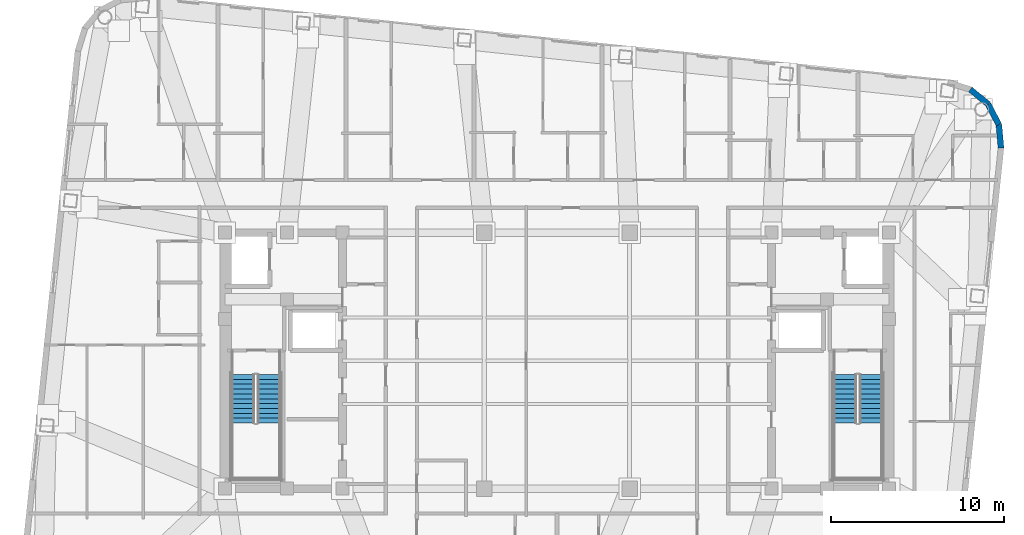
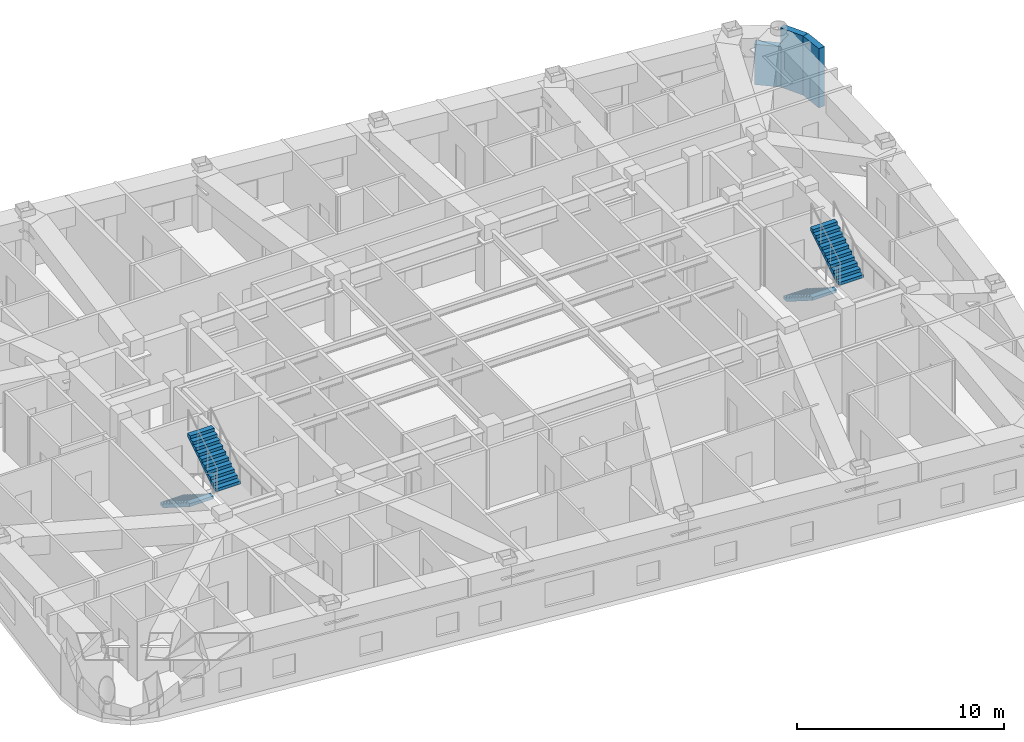
# One storey, part 10 of 12: 4 stair flights, 3 walls, 2 elements without a shape of their own.
"""IFC4 building model written with IfcOpenShell, lengths in metres."""

from ifc_helpers import new_model, si_unit, direction, frame, frame_2d, origin, place, context, subcontext, project, spatial, polyline, rectangle, outline, extrude, material, layer, layer_set, type_object, element, aggregate, save


model = new_model("IFC4")

# Units and contexts
model_context = context("Model", 3, precision=1e-05, world=origin(), true_north=direction((0.0, 1.0)))
body_context = subcontext(model_context, "Body", "Model", "MODEL_VIEW")
ifc_project = project(units=[si_unit("LENGTHUNIT", "METRE"), si_unit("AREAUNIT", "SQUARE_METRE"), si_unit("VOLUMEUNIT", "CUBIC_METRE"), si_unit("PLANEANGLEUNIT", "RADIAN"), si_unit("MASSUNIT", "GRAM", prefix="KILO")], contexts=[model_context])

# Site, building, storey
site_placement = place(None, origin())
site = spatial("IfcSite", under=ifc_project, at=site_placement, CompositionType="ELEMENT")
building_placement = place(site_placement, origin())
building = spatial("IfcBuilding", under=site, at=building_placement, Name="Voryun Gate Residences", CompositionType="ELEMENT")
storey_placement = place(building_placement, frame((0.0, 0.0, 306.800048828125)))
storey = spatial("IfcBuildingStorey", under=building, at=storey_placement, Name="L76", CompositionType="ELEMENT", Elevation=306.800048828125)

# Walls
ifc_material_1 = material(Name="Charcoal terracotta masonry", Category="masonry")
ifc_layer = layer(ifc_material_1, 0.340087890625, Name="W_EXT_TERRACOTTA_340")
ifc_layer_set = layer_set([ifc_layer], Name="Charcoal terracotta masonry")
wall_type = type_object("IfcWallType", Name="W_EXT_TERRACOTTA_340", PredefinedType="ELEMENTEDWALL", material=ifc_layer_set)
wall_1_placement = place(storey_placement, frame((23.895751953125, 15.68212890625, 0.0), z_axis=(0.0, 0.0, 1.0), x_axis=(0.768789762863, -0.639501603217, 0.0)))
element("IfcWall", 1, at=wall_1_placement, inside=storey, type_object=wall_type, Name="Exterior wall WEXT-L76-13", PredefinedType="ELEMENTEDWALL", context=body_context, shape_type="SweptSolid", body=[
    extrude(rectangle(XDim=1.3369140625, YDim=0.340087890625, at=frame_2d((0.66845703125, 0.0))), origin(), (0.0, 0.0, 1.0), 2.389892578125),
])
wall_2_placement = place(storey_placement, frame((24.923583984375, 14.8271484375, 0.0), z_axis=(0.0, 0.0, 1.0), x_axis=(0.46567116636, -0.884957832228, 0.0)))
element("IfcWall", 2, at=wall_2_placement, inside=storey, type_object=wall_type, Name="Exterior wall WEXT-L76-14", PredefinedType="ELEMENTEDWALL", context=body_context, shape_type="SweptSolid", body=[
    extrude(rectangle(XDim=1.3369140625, YDim=0.340087890625, at=frame_2d((0.66845703125, 0.0))), origin(), (0.0, 0.0, 1.0), 3.5),
])
wall_3_placement = place(storey_placement, frame((25.546142578125, 13.64404296875, 0.0), z_axis=(0.0, 0.0, 1.0), x_axis=(0.091592370975, -0.995796584438, 0.0)))
element("IfcWall", 3, at=wall_3_placement, inside=storey, type_object=wall_type, Name="Exterior wall WEXT-L76-15", PredefinedType="ELEMENTEDWALL", context=body_context, shape_type="SweptSolid", body=[
    extrude(rectangle(XDim=1.35400390625, YDim=0.340087890625, at=frame_2d((0.677001953125, 0.0))), origin(), (0.0, 0.0, 1.0), 3.5),
])

# Stair, stair flights
ifc_material_2 = material(Name="Concrete C40/50", Category="concrete")
stair_type = type_object("IfcStairType", Name="STR_CORE_DOGLEG_1350", PredefinedType="HALF_TURN_STAIR", material=ifc_material_2)
stair_1_placement = place(storey_placement, origin())
stair_1 = element("IfcStair", 4, at=stair_1_placement, inside=storey, type_object=stair_type, Name="L76 Special Escape Stair ST-W1", PredefinedType="HALF_TURN_STAIR")
ifc_material_3 = material(Name="Concrete C40/50", Category="concrete")
stair_flight_type = type_object("IfcStairFlightType", Name="FLT_CORE_1350", PredefinedType="STRAIGHT", material=ifc_material_3)
stair_flight_1_placement = place(storey_placement, frame((-18.14990234375, -0.800048828125, 0.0), z_axis=(0.0, 0.0, 1.0), x_axis=(0.0, -1.0, 0.0)))
stair_flight_1 = element("IfcStairFlight", 5, at=stair_flight_1_placement, type_object=stair_flight_type, Name="ST-W1 flight 1", NumberOfRisers=11, NumberOfTreads=10, PredefinedType="STRAIGHT", RiserHeight=0.177272727, TreadLength=0.28, context=body_context, shape_type="SweptSolid", body=[
    extrude(outline(polyline([(0.0, 0.0), (0.0, 0.17724609375), (0.280029296875, 0.17724609375), (0.280029296875, 0.3544921875), (0.56005859375, 0.3544921875), (0.56005859375, 0.53173828125), (0.840087890625, 0.53173828125), (0.840087890625, 0.708984375), (1.1201171875, 0.708984375), (1.1201171875, 0.886474609375), (1.39990234375, 0.886474609375), (1.39990234375, 1.063720703125), (1.679931640625, 1.063720703125), (1.679931640625, 1.240966796875), (1.9599609375, 1.240966796875), (1.9599609375, 1.418212890625), (2.239990234375, 1.418212890625), (2.239990234375, 1.595458984375), (2.52001953125, 1.595458984375), (2.52001953125, 1.772705078125), (2.800048828125, 1.772705078125), (2.800048828125, 1.949951171875), (2.800048828125, 1.59521484375), (0.2802734375, 0.0), (0.0, 0.0)])), frame((0.0, 0.675048828125, 0.0), z_axis=(0.0, -1.0, 0.0), x_axis=(1.0, 0.0, 0.0)), (0.0, 0.0, 1.0), 1.35009765625),
])
stair_flight_2_placement = place(storey_placement, frame((-16.64990234375, -3.60009765625, 1.949951171875), z_axis=(0.0, 0.0, 1.0), x_axis=(0.0, 1.0, 0.0)))
stair_flight_2 = element("IfcStairFlight", 6, at=stair_flight_2_placement, type_object=stair_flight_type, Name="ST-W1 flight 2", NumberOfRisers=11, NumberOfTreads=10, PredefinedType="STRAIGHT", RiserHeight=0.177272727, TreadLength=0.28, context=body_context, shape_type="SweptSolid", body=[
    extrude(outline(polyline([(0.0, 0.0), (0.0, 0.17724609375), (0.280029296875, 0.17724609375), (0.280029296875, 0.3544921875), (0.56005859375, 0.3544921875), (0.56005859375, 0.53173828125), (0.840087890625, 0.53173828125), (0.840087890625, 0.708984375), (1.1201171875, 0.708984375), (1.1201171875, 0.886474609375), (1.39990234375, 0.886474609375), (1.39990234375, 1.063720703125), (1.679931640625, 1.063720703125), (1.679931640625, 1.240966796875), (1.9599609375, 1.240966796875), (1.9599609375, 1.418212890625), (2.239990234375, 1.418212890625), (2.239990234375, 1.595458984375), (2.52001953125, 1.595458984375), (2.52001953125, 1.772705078125), (2.800048828125, 1.772705078125), (2.800048828125, 1.949951171875), (2.800048828125, 1.59521484375), (0.2802734375, 0.0), (0.0, 0.0)])), frame((0.0, 0.675048828125, 0.0), z_axis=(0.0, -1.0, 0.0), x_axis=(1.0, 0.0, 0.0)), (0.0, 0.0, 1.0), 1.35009765625),
])
aggregate(stair_1, [stair_flight_1, stair_flight_2])

stair_2_placement = place(storey_placement, origin())
stair_2 = element("IfcStair", 7, at=stair_2_placement, inside=storey, type_object=stair_type, Name="L76 Special Escape Stair ST-E1", PredefinedType="HALF_TURN_STAIR")
stair_flight_3_placement = place(storey_placement, frame((16.64990234375, -0.800048828125, 0.0), z_axis=(0.0, 0.0, 1.0), x_axis=(0.0, -1.0, 0.0)))
stair_flight_3 = element("IfcStairFlight", 8, at=stair_flight_3_placement, type_object=stair_flight_type, Name="ST-E1 flight 1", NumberOfRisers=11, NumberOfTreads=10, PredefinedType="STRAIGHT", RiserHeight=0.177272727, TreadLength=0.28, context=body_context, shape_type="SweptSolid", body=[
    extrude(outline(polyline([(0.0, 0.0), (0.0, 0.17724609375), (0.280029296875, 0.17724609375), (0.280029296875, 0.3544921875), (0.56005859375, 0.3544921875), (0.56005859375, 0.53173828125), (0.840087890625, 0.53173828125), (0.840087890625, 0.708984375), (1.1201171875, 0.708984375), (1.1201171875, 0.886474609375), (1.39990234375, 0.886474609375), (1.39990234375, 1.063720703125), (1.679931640625, 1.063720703125), (1.679931640625, 1.240966796875), (1.9599609375, 1.240966796875), (1.9599609375, 1.418212890625), (2.239990234375, 1.418212890625), (2.239990234375, 1.595458984375), (2.52001953125, 1.595458984375), (2.52001953125, 1.772705078125), (2.800048828125, 1.772705078125), (2.800048828125, 1.949951171875), (2.800048828125, 1.59521484375), (0.2802734375, 0.0), (0.0, 0.0)])), frame((0.0, 0.675048828125, 0.0), z_axis=(0.0, -1.0, 0.0), x_axis=(1.0, 0.0, 0.0)), (0.0, 0.0, 1.0), 1.35009765625),
])
stair_flight_4_placement = place(storey_placement, frame((18.14990234375, -3.60009765625, 1.949951171875), z_axis=(0.0, 0.0, 1.0), x_axis=(0.0, 1.0, 0.0)))
stair_flight_4 = element("IfcStairFlight", 9, at=stair_flight_4_placement, type_object=stair_flight_type, Name="ST-E1 flight 2", NumberOfRisers=11, NumberOfTreads=10, PredefinedType="STRAIGHT", RiserHeight=0.177272727, TreadLength=0.28, context=body_context, shape_type="SweptSolid", body=[
    extrude(outline(polyline([(0.0, 0.0), (0.0, 0.17724609375), (0.280029296875, 0.17724609375), (0.280029296875, 0.3544921875), (0.56005859375, 0.3544921875), (0.56005859375, 0.53173828125), (0.840087890625, 0.53173828125), (0.840087890625, 0.708984375), (1.1201171875, 0.708984375), (1.1201171875, 0.886474609375), (1.39990234375, 0.886474609375), (1.39990234375, 1.063720703125), (1.679931640625, 1.063720703125), (1.679931640625, 1.240966796875), (1.9599609375, 1.240966796875), (1.9599609375, 1.418212890625), (2.239990234375, 1.418212890625), (2.239990234375, 1.595458984375), (2.52001953125, 1.595458984375), (2.52001953125, 1.772705078125), (2.800048828125, 1.772705078125), (2.800048828125, 1.949951171875), (2.800048828125, 1.59521484375), (0.2802734375, 0.0), (0.0, 0.0)])), frame((0.0, 0.675048828125, 0.0), z_axis=(0.0, -1.0, 0.0), x_axis=(1.0, 0.0, 0.0)), (0.0, 0.0, 1.0), 1.35009765625),
])
aggregate(stair_2, [stair_flight_3, stair_flight_4])

save(model, "model.ifc")
